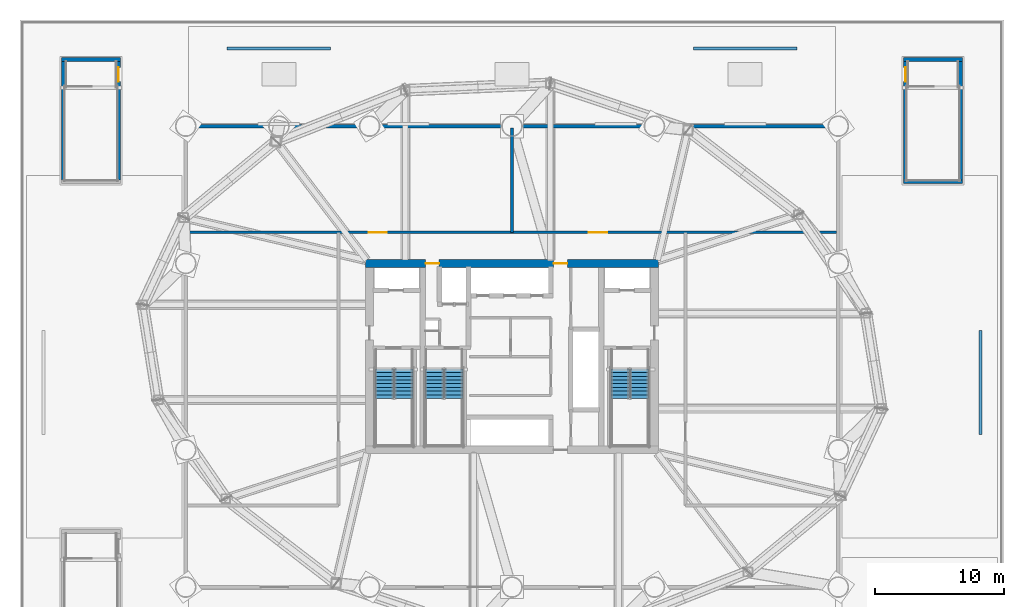
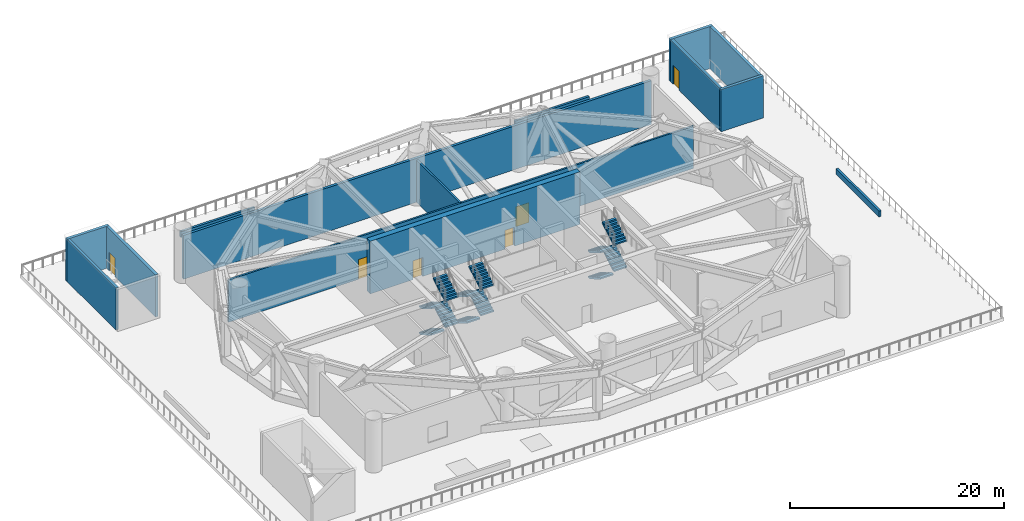
# One storey, part 9 of 14: 14 walls, 12 stair flights, 6 doors, 6 openings, 3 elements without a shape of their own.
"""IFC4 building model written with IfcOpenShell, lengths in metres."""

from ifc_helpers import new_model, si_unit, direction, frame, frame_2d, origin, place, context, subcontext, project, spatial, polyline, rectangle, outline, extrude, material, layer, layer_set, type_object, element, fill, aggregate, save


model = new_model("IFC4")

# Units and contexts
model_context = context("Model", 3, precision=1e-05, world=origin(), true_north=direction((0.0, 1.0)))
body_context = subcontext(model_context, "Body", "Model", "MODEL_VIEW")
ifc_project = project(units=[si_unit("LENGTHUNIT", "METRE"), si_unit("AREAUNIT", "SQUARE_METRE"), si_unit("VOLUMEUNIT", "CUBIC_METRE"), si_unit("PLANEANGLEUNIT", "RADIAN"), si_unit("MASSUNIT", "GRAM", prefix="KILO")], contexts=[model_context])

# Site, building, storey
site_placement = place(None, origin())
site = spatial("IfcSite", under=ifc_project, at=site_placement, CompositionType="ELEMENT")
building_placement = place(site_placement, origin())
building = spatial("IfcBuilding", under=site, at=building_placement, Name="Bramvorn Convention Spire", CompositionType="ELEMENT")
storey_placement = place(building_placement, frame((0.0, 0.0, 35.39990234375)))
storey = spatial("IfcBuildingStorey", under=building, at=storey_placement, Name="L06", CompositionType="ELEMENT", Elevation=35.39990234375)

# Wall, openings, doors
ifc_material_1 = material(Name="Concrete C60/70", Category="concrete")
ifc_layer_1 = layer(ifc_material_1, 0.60009765625)
ifc_layer_set_1 = layer_set([ifc_layer_1], Name="Concrete C60/70 - WL-CORE-600")
wall_type_1 = type_object("IfcWallType", Name="WL-CORE-600", PredefinedType="SHEAR", material=ifc_layer_set_1)
wall_1_placement = place(storey_placement, frame((26.699951171875, 33.199951171875, 0.0), z_axis=(0.0, 0.0, 1.0), x_axis=(1.0, 0.0, 0.0)))
wall_1 = element("IfcWall", 1, at=wall_1_placement, inside=storey, type_object=wall_type_1, Name="L06 North RC core shear wall", PredefinedType="SHEAR", context=body_context, shape_type="SweptSolid", body=[
    extrude(rectangle(XDim=22.60009765625, YDim=0.60009765625, at=frame_2d((11.300048828125, 0.0))), origin(), (0.0, 0.0, 1.0), 6.0),
])
opening_1_placement = place(wall_1_placement, frame((4.6201171875, 0.0, 0.0)))
opening_1 = element("IfcOpeningElement", 2, at=opening_1_placement, cuts=wall_1, Name="Opening DL-105", PredefinedType="OPENING", context=body_context, shape_type="SweptSolid", body=[
    extrude(rectangle(XDim=1.050048828125, YDim=2.14990234375, at=frame_2d((0.52490234375, 1.074951171875))), frame((0.0, 0.31005859375, 0.0), z_axis=(0.0, -1.0, 0.0), x_axis=(1.0, 0.0, 0.0)), (0.0, 0.0, 1.0), 0.6201171875),
])
opening_2_placement = place(wall_1_placement, frame((14.52001953125, 0.0, 0.0)))
opening_2 = element("IfcOpeningElement", 3, at=opening_2_placement, cuts=wall_1, Name="Opening DL-105", PredefinedType="OPENING", context=body_context, shape_type="SweptSolid", body=[
    extrude(rectangle(XDim=1.050048828125, YDim=2.14990234375, at=frame_2d((0.52490234375, 1.074951171875))), frame((0.0, 0.31005859375, 0.0), z_axis=(0.0, -1.0, 0.0), x_axis=(1.0, 0.0, 0.0)), (0.0, 0.0, 1.0), 0.6201171875),
])
ifc_material_2 = material(Name="Smoke-Sealed Fire Lobby Timber-Core Door", Category="wood")
door_type_1 = type_object("IfcDoorType", Name="DR-LOBBY-1050", OperationType="NOTDEFINED", PredefinedType="DOOR", material=ifc_material_2)
door_1_placement = place(opening_1_placement, origin())
door_1 = element("IfcDoor", 4, at=door_1_placement, inside=storey, type_object=door_type_1, Name="L06 Service & Stair ST3 Lobby north corridor door", OperationType="SINGLE_SWING_LEFT", OverallHeight=2.14990234375, OverallWidth=1.050048828125, PredefinedType="DOOR", context=body_context, shape_type="SweptSolid", body=[
    extrude(rectangle(XDim=1.050048828125, YDim=2.14990234375, at=frame_2d((0.52490234375, 1.074951171875))), frame((0.0, 0.02490234375, 0.0), z_axis=(0.0, -1.0, 0.0), x_axis=(1.0, 0.0, 0.0)), (0.0, 0.0, 1.0), 0.050048828125),
])
fill(opening_1, door_1)
door_2_placement = place(opening_2_placement, origin())
door_2 = element("IfcDoor", 5, at=door_2_placement, inside=storey, type_object=door_type_1, Name="L06 North Lift Lobby fire door", OperationType="SINGLE_SWING_LEFT", OverallHeight=2.14990234375, OverallWidth=1.050048828125, PredefinedType="DOOR", context=body_context, shape_type="SweptSolid", body=[
    extrude(rectangle(XDim=1.050048828125, YDim=2.14990234375, at=frame_2d((0.52490234375, 1.074951171875))), frame((0.0, 0.02490234375, 0.0), z_axis=(0.0, -1.0, 0.0), x_axis=(1.0, 0.0, 0.0)), (0.0, 0.0, 1.0), 0.050048828125),
])
fill(opening_2, door_2)

# Walls
ifc_material_3 = material(Name="Precast Concrete C40/50 Insulated Terrace Wall", Category="concrete")
ifc_layer_2 = layer(ifc_material_3, 0.280029296875)
ifc_layer_set_2 = layer_set([ifc_layer_2], Name="Precast Concrete C40/50 Insulated Terrace Wall - WL-EXT-TERR-280")
wall_type_2 = type_object("IfcWallType", Name="WL-EXT-TERR-280", PredefinedType="SOLIDWALL", material=ifc_layer_set_2)
wall_2_placement = place(storey_placement, frame((12.800048828125, 43.800048828125, 0.0), z_axis=(0.0, 0.0, 1.0), x_axis=(1.0, 0.0, 0.0)))
element("IfcWall", 6, at=wall_2_placement, inside=storey, type_object=wall_type_2, Name="L06 North transfer plant wall", PredefinedType="SOLIDWALL", context=body_context, shape_type="SweptSolid", body=[
    extrude(rectangle(XDim=50.39990234375, YDim=0.280029296875, at=frame_2d((25.199951171875, 0.0))), origin(), (0.0, 0.0, 1.0), 5.0),
])
ifc_material_4 = material(Name="Precast Concrete C40/50 Parapet", Category="concrete")
ifc_layer_3 = layer(ifc_material_4, 0.239990234375)
ifc_layer_set_3 = layer_set([ifc_layer_3], Name="Precast Concrete C40/50 Parapet - WL-PARAPET-240")
wall_type_3 = type_object("IfcWallType", Name="WL-PARAPET-240", PredefinedType="PARAPET", material=ifc_layer_set_3)
for number, where, z_axis, x_axis, name in (
    (7, (16.0, 49.800048828125, 0.0), (0.0, 0.0, 1.0), (1.0, 0.0, 0.0), "L06 Raised Garden stone planter wall 3"),
    (8, (52.0, 49.800048828125, 0.0), (0.0, 0.0, 1.0), (1.0, 0.0, 0.0), "L06 Raised Garden stone planter wall 4"),
    (9, (74.199951171875, 20.0, 0.0), (0.0, 0.0, 1.0), (0.0, 1.0, 0.0), "L06 Raised Garden stone planter wall 6"),
):
    element("IfcWall", number, at=place(storey_placement, frame(where, z_axis=z_axis, x_axis=x_axis)), inside=storey, type_object=wall_type_3, Name=name, PredefinedType="PARAPET", context=body_context, shape_type="SweptSolid", body=[
        extrude(rectangle(XDim=8.0, YDim=0.239990234375, at=frame_2d((4.0, 0.0))), origin(), (0.0, 0.0, 1.0), 0.650146484375),
    ])

# Wall, openings, doors
ifc_material_5 = material(Name="Gypsum Shaftwall & Rockwool Core Partition", Category="gypsum")
ifc_layer_4 = layer(ifc_material_5, 0.199951171875)
ifc_layer_set_4 = layer_set([ifc_layer_4], Name="Gypsum Shaftwall & Rockwool Core Partition - WL-PART-200-FR")
wall_type_4 = type_object("IfcWallType", Name="WL-PART-200-FR", PredefinedType="PARTITIONING", material=ifc_layer_set_4)
wall_3_placement = place(storey_placement, frame((12.93994140625, 35.60009765625, 0.0), z_axis=(0.0, 0.0, 1.0), x_axis=(1.0, 0.0, 0.0)))
wall_3 = element("IfcWall", 10, at=wall_3_placement, inside=storey, type_object=wall_type_4, Name="L06 North plant corridor wall", PredefinedType="PARTITIONING", context=body_context, shape_type="SweptSolid", body=[
    extrude(rectangle(XDim=50.1201171875, YDim=0.199951171875, at=frame_2d((25.06005859375, 0.0))), origin(), (0.0, 0.0, 1.0), 4.81005859375),
])
opening_3_placement = place(wall_3_placement, frame((14.0, 0.0, 0.0)))
opening_3 = element("IfcOpeningElement", 11, at=opening_3_placement, cuts=wall_3, Name="Opening DP-140", PredefinedType="OPENING", context=body_context, shape_type="SweptSolid", body=[
    extrude(rectangle(XDim=1.39990234375, YDim=2.25, at=frame_2d((0.699951171875, 1.125))), frame((0.0, 0.10986328125, 0.0), z_axis=(0.0, -1.0, 0.0), x_axis=(1.0, 0.0, 0.0)), (0.0, 0.0, 1.0), 0.219970703125),
])
opening_4_placement = place(wall_3_placement, frame((31.0, 0.0, 0.0)))
opening_4 = element("IfcOpeningElement", 12, at=opening_4_placement, cuts=wall_3, Name="Opening DP-140", PredefinedType="OPENING", context=body_context, shape_type="SweptSolid", body=[
    extrude(rectangle(XDim=1.39990234375, YDim=2.25, at=frame_2d((0.699951171875, 1.125))), frame((0.0, 0.10986328125, 0.0), z_axis=(0.0, -1.0, 0.0), x_axis=(1.0, 0.0, 0.0)), (0.0, 0.0, 1.0), 0.219970703125),
])
ifc_material_6 = material(Name="Heavy-Duty Acoustic Louvre Plant Room Door", Category="steel")
door_type_2 = type_object("IfcDoorType", Name="DR-PLANT-1400", OperationType="NOTDEFINED", PredefinedType="DOOR", material=ifc_material_6)
door_3_placement = place(opening_3_placement, origin())
door_3 = element("IfcDoor", 13, at=door_3_placement, inside=storey, type_object=door_type_2, Name="L06 Heat Recovery Plant door", OperationType="DOUBLE_DOOR_SINGLE_SWING", OverallHeight=2.25, OverallWidth=1.39990234375, PredefinedType="DOOR", context=body_context, shape_type="SweptSolid", body=[
    extrude(rectangle(XDim=1.39990234375, YDim=2.25, at=frame_2d((0.699951171875, 1.125))), frame((0.0, 0.02490234375, 0.0), z_axis=(0.0, -1.0, 0.0), x_axis=(1.0, 0.0, 0.0)), (0.0, 0.0, 1.0), 0.050048828125),
])
fill(opening_3, door_3)
door_4_placement = place(opening_4_placement, origin())
door_4 = element("IfcDoor", 14, at=door_4_placement, inside=storey, type_object=door_type_2, Name="L06 Transfer Electrical Substation door", OperationType="DOUBLE_DOOR_SINGLE_SWING", OverallHeight=2.25, OverallWidth=1.39990234375, PredefinedType="DOOR", context=body_context, shape_type="SweptSolid", body=[
    extrude(rectangle(XDim=1.39990234375, YDim=2.25, at=frame_2d((0.699951171875, 1.125))), frame((0.0, 0.02490234375, 0.0), z_axis=(0.0, -1.0, 0.0), x_axis=(1.0, 0.0, 0.0)), (0.0, 0.0, 1.0), 0.050048828125),
])
fill(opening_4, door_4)

# Walls
wall_4_placement = place(storey_placement, frame((38.0, 35.60009765625, 0.0), z_axis=(0.0, 0.0, 1.0), x_axis=(0.0, 1.0, 0.0)))
element("IfcWall", 15, at=wall_4_placement, inside=storey, type_object=wall_type_4, Name="L06 North plant divider", PredefinedType="PARTITIONING", context=body_context, shape_type="SweptSolid", body=[
    extrude(rectangle(XDim=8.059814453125, YDim=0.199951171875, at=frame_2d((4.02978515625, 0.0))), origin(), (0.0, 0.0, 1.0), 4.81005859375),
])
ifc_material_7 = material(Name="Concrete C50/60", Category="concrete")
ifc_layer_5 = layer(ifc_material_7, 0.300048828125)
ifc_layer_set_5 = layer_set([ifc_layer_5], Name="Concrete C50/60 - WL-POD-STAIR-300")
wall_type_5 = type_object("IfcWallType", Name="WL-POD-STAIR-300", PredefinedType="SHEAR", material=ifc_layer_set_5)
for number, where, z_axis, x_axis, name in (
    (16, (68.22998046875, 39.510009765625, 0.0), (0.0, 0.0, 1.0), (1.0, 0.0, 0.0), "L06 ST5 south shaft wall"),
    (17, (68.22998046875, 48.93994140625, 0.0), (0.0, 0.0, 1.0), (1.0, 0.0, 0.0), "L06 ST5 north shaft wall"),
):
    element("IfcWall", number, at=place(storey_placement, frame(where, z_axis=z_axis, x_axis=x_axis)), inside=storey, type_object=wall_type_5, Name=name, PredefinedType="SHEAR", context=body_context, shape_type="SweptSolid", body=[
        extrude(rectangle(XDim=4.56005859375, YDim=0.300048828125, at=frame_2d((2.280029296875, 0.0))), origin(), (0.0, 0.0, 1.0), 4.800048828125),
    ])

# Wall, opening, door
wall_5_placement = place(storey_placement, frame((68.3798828125, 39.659912109375, 0.0), z_axis=(0.0, 0.0, 1.0), x_axis=(0.0, 1.0, 0.0)))
wall_5 = element("IfcWall", 18, at=wall_5_placement, inside=storey, type_object=wall_type_5, Name="L06 ST5 west shaft wall", PredefinedType="SHEAR", context=body_context, shape_type="SweptSolid", body=[
    extrude(rectangle(XDim=9.130126953125, YDim=0.300048828125, at=frame_2d((4.56494140625, 0.0))), origin(), (0.0, 0.0, 1.0), 4.800048828125),
])
opening_5_placement = place(wall_5_placement, frame((7.580078125, 0.0, 0.0)))
opening_5 = element("IfcOpeningElement", 19, at=opening_5_placement, cuts=wall_5, Name="Opening DS-110", PredefinedType="OPENING", context=body_context, shape_type="SweptSolid", body=[
    extrude(rectangle(XDim=1.10009765625, YDim=2.14990234375, at=frame_2d((0.550048828125, 1.074951171875))), frame((0.0, 0.159912109375, 0.0), z_axis=(0.0, -1.0, 0.0), x_axis=(1.0, 0.0, 0.0)), (0.0, 0.0, 1.0), 0.320068359375),
])
ifc_material_8 = material(Name="Fire-Rated Hollow Steel Stairwell Door", Category="steel")
door_type_3 = type_object("IfcDoorType", Name="DR-STAIR-1100", OperationType="NOTDEFINED", PredefinedType="DOOR", material=ifc_material_8)
door_5_placement = place(opening_5_placement, origin())
door_5 = element("IfcDoor", 20, at=door_5_placement, inside=storey, type_object=door_type_3, Name="L06 ST5 exit stairwell door", OperationType="SINGLE_SWING_LEFT", OverallHeight=2.14990234375, OverallWidth=1.10009765625, PredefinedType="DOOR", context=body_context, shape_type="SweptSolid", body=[
    extrude(rectangle(XDim=1.10009765625, YDim=2.14990234375, at=frame_2d((0.550048828125, 1.074951171875))), frame((0.0, 0.02490234375, 0.0), z_axis=(0.0, -1.0, 0.0), x_axis=(1.0, 0.0, 0.0)), (0.0, 0.0, 1.0), 0.050048828125),
])
fill(opening_5, door_5)

# Walls
wall_6_placement = place(storey_placement, frame((72.639892578125, 48.7900390625, 0.0), z_axis=(0.0, 0.0, 1.0), x_axis=(0.0, -1.0, 0.0)))
element("IfcWall", 21, at=wall_6_placement, inside=storey, type_object=wall_type_5, Name="L06 ST5 east shaft wall", PredefinedType="SHEAR", context=body_context, shape_type="SweptSolid", body=[
    extrude(rectangle(XDim=9.130126953125, YDim=0.300048828125, at=frame_2d((4.56494140625, 0.0))), origin(), (0.0, 0.0, 1.0), 4.800048828125),
])
wall_7_placement = place(storey_placement, frame((3.2099609375, 48.93994140625, 0.0), z_axis=(0.0, 0.0, 1.0), x_axis=(1.0, 0.0, 0.0)))
element("IfcWall", 22, at=wall_7_placement, inside=storey, type_object=wall_type_5, Name="L06 ST6 north shaft wall", PredefinedType="SHEAR", context=body_context, shape_type="SweptSolid", body=[
    extrude(rectangle(XDim=4.56005859375, YDim=0.300048828125, at=frame_2d((2.280029296875, 0.0))), origin(), (0.0, 0.0, 1.0), 4.800048828125),
])
wall_8_placement = place(storey_placement, frame((3.360107421875, 39.659912109375, 0.0), z_axis=(0.0, 0.0, 1.0), x_axis=(0.0, 1.0, 0.0)))
element("IfcWall", 23, at=wall_8_placement, inside=storey, type_object=wall_type_5, Name="L06 ST6 west shaft wall", PredefinedType="SHEAR", context=body_context, shape_type="SweptSolid", body=[
    extrude(rectangle(XDim=9.130126953125, YDim=0.300048828125, at=frame_2d((4.56494140625, 0.0))), origin(), (0.0, 0.0, 1.0), 4.800048828125),
])

# Wall, opening, door
wall_9_placement = place(storey_placement, frame((7.6201171875, 48.7900390625, 0.0), z_axis=(0.0, 0.0, 1.0), x_axis=(0.0, -1.0, 0.0)))
wall_9 = element("IfcWall", 24, at=wall_9_placement, inside=storey, type_object=wall_type_5, Name="L06 ST6 east shaft wall", PredefinedType="SHEAR", context=body_context, shape_type="SweptSolid", body=[
    extrude(rectangle(XDim=9.130126953125, YDim=0.300048828125, at=frame_2d((4.56494140625, 0.0))), origin(), (0.0, 0.0, 1.0), 4.800048828125),
])
opening_6_placement = place(wall_9_placement, frame((0.449951171875, 0.0, 0.0)))
opening_6 = element("IfcOpeningElement", 25, at=opening_6_placement, cuts=wall_9, Name="Opening DS-110", PredefinedType="OPENING", context=body_context, shape_type="SweptSolid", body=[
    extrude(rectangle(XDim=1.10009765625, YDim=2.14990234375, at=frame_2d((0.550048828125, 1.074951171875))), frame((0.0, 0.159912109375, 0.0), z_axis=(0.0, -1.0, 0.0), x_axis=(1.0, 0.0, 0.0)), (0.0, 0.0, 1.0), 0.320068359375),
])
door_6_placement = place(opening_6_placement, origin())
door_6 = element("IfcDoor", 26, at=door_6_placement, inside=storey, type_object=door_type_3, Name="L06 ST6 exit stairwell door", OperationType="SINGLE_SWING_LEFT", OverallHeight=2.14990234375, OverallWidth=1.10009765625, PredefinedType="DOOR", context=body_context, shape_type="SweptSolid", body=[
    extrude(rectangle(XDim=1.10009765625, YDim=2.14990234375, at=frame_2d((0.550048828125, 1.074951171875))), frame((0.0, 0.02490234375, 0.0), z_axis=(0.0, -1.0, 0.0), x_axis=(1.0, 0.0, 0.0)), (0.0, 0.0, 1.0), 0.050048828125),
])
fill(opening_6, door_6)

# Stair, stair flights
ifc_material_9 = material(Name="Concrete C40/50 Precast Stair", Category="concrete")
stair_type = type_object("IfcStairType", Name="ST-TOWER-1550", PredefinedType="HALF_TURN_STAIR", material=ifc_material_9)
stair_1_placement = place(storey_placement, origin())
stair_1 = element("IfcStair", 27, at=stair_1_placement, inside=storey, type_object=stair_type, Name="L06 Protected Exit Stair ST1", PredefinedType="HALF_TURN_STAIR")
ifc_material_10 = material(Name="Concrete C40/50 Precast Stair Flight", Category="concrete")
stair_flight_type = type_object("IfcStairFlightType", Name="STF-TOWER-1550", PredefinedType="STRAIGHT", material=ifc_material_10)
stair_flight_1_placement = place(storey_placement, frame((28.155029296875, 25.050048828125, 0.0), z_axis=(0.0, 0.0, 1.0), x_axis=(0.0, -1.0, 0.0)))
stair_flight_1 = element("IfcStairFlight", 28, at=stair_flight_1_placement, type_object=stair_flight_type, Name="ST1 flight 1", NumberOfRisers=9, NumberOfTreads=8, PredefinedType="STRAIGHT", RiserHeight=0.166666667, TreadLength=0.285, context=body_context, shape_type="SweptSolid", body=[
    extrude(outline(polyline([(0.0, 0.0), (0.0, 0.166748046875), (0.284912109375, 0.166748046875), (0.284912109375, 0.333251953125), (0.570068359375, 0.333251953125), (0.570068359375, 0.5), (0.85498046875, 0.5), (0.85498046875, 0.666748046875), (1.139892578125, 0.666748046875), (1.139892578125, 0.833251953125), (1.425048828125, 0.833251953125), (1.425048828125, 1.0), (1.7099609375, 1.0), (1.7099609375, 1.166748046875), (1.9951171875, 1.166748046875), (1.9951171875, 1.333251953125), (2.280029296875, 1.333251953125), (2.280029296875, 1.5), (2.280029296875, 1.15966796875), (0.296875, 0.0), (0.0, 0.0)])), frame((0.0, 0.705078125, 0.0), z_axis=(0.0, -1.0, 0.0), x_axis=(1.0, 0.0, 0.0)), (0.0, 0.0, 1.0), 1.409912109375),
])
stair_flight_2_placement = place(storey_placement, frame((29.64501953125, 22.77001953125, 1.5), z_axis=(0.0, 0.0, 1.0), x_axis=(0.0, 1.0, 0.0)))
stair_flight_2 = element("IfcStairFlight", 29, at=stair_flight_2_placement, type_object=stair_flight_type, Name="ST1 flight 2", NumberOfRisers=9, NumberOfTreads=8, PredefinedType="STRAIGHT", RiserHeight=0.166666667, TreadLength=0.285, context=body_context, shape_type="SweptSolid", body=[
    extrude(outline(polyline([(0.0, 0.0), (0.0, 0.166748046875), (0.284912109375, 0.166748046875), (0.284912109375, 0.333251953125), (0.570068359375, 0.333251953125), (0.570068359375, 0.5), (0.85498046875, 0.5), (0.85498046875, 0.666748046875), (1.139892578125, 0.666748046875), (1.139892578125, 0.833251953125), (1.425048828125, 0.833251953125), (1.425048828125, 1.0), (1.7099609375, 1.0), (1.7099609375, 1.166748046875), (1.9951171875, 1.166748046875), (1.9951171875, 1.333251953125), (2.280029296875, 1.333251953125), (2.280029296875, 1.5), (2.280029296875, 1.15966796875), (0.296875, 0.0), (0.0, 0.0)])), frame((0.0, 0.705078125, 0.0), z_axis=(0.0, -1.0, 0.0), x_axis=(1.0, 0.0, 0.0)), (0.0, 0.0, 1.0), 1.409912109375),
])
stair_flight_3_placement = place(storey_placement, frame((28.155029296875, 25.050048828125, 3.0), z_axis=(0.0, 0.0, 1.0), x_axis=(0.0, -1.0, 0.0)))
stair_flight_3 = element("IfcStairFlight", 30, at=stair_flight_3_placement, type_object=stair_flight_type, Name="ST1 flight 3", NumberOfRisers=9, NumberOfTreads=8, PredefinedType="STRAIGHT", RiserHeight=0.166666667, TreadLength=0.285, context=body_context, shape_type="SweptSolid", body=[
    extrude(outline(polyline([(0.0, 0.0), (0.0, 0.166748046875), (0.284912109375, 0.166748046875), (0.284912109375, 0.333251953125), (0.570068359375, 0.333251953125), (0.570068359375, 0.5), (0.85498046875, 0.5), (0.85498046875, 0.666748046875), (1.139892578125, 0.666748046875), (1.139892578125, 0.833251953125), (1.425048828125, 0.833251953125), (1.425048828125, 1.0), (1.7099609375, 1.0), (1.7099609375, 1.166748046875), (1.9951171875, 1.166748046875), (1.9951171875, 1.333251953125), (2.280029296875, 1.333251953125), (2.280029296875, 1.5), (2.280029296875, 1.15966796875), (0.296875, 0.0), (0.0, 0.0)])), frame((0.0, 0.705078125, 0.0), z_axis=(0.0, -1.0, 0.0), x_axis=(1.0, 0.0, 0.0)), (0.0, 0.0, 1.0), 1.409912109375),
])
stair_flight_4_placement = place(storey_placement, frame((29.64501953125, 22.77001953125, 4.5), z_axis=(0.0, 0.0, 1.0), x_axis=(0.0, 1.0, 0.0)))
stair_flight_4 = element("IfcStairFlight", 31, at=stair_flight_4_placement, type_object=stair_flight_type, Name="ST1 flight 4", NumberOfRisers=9, NumberOfTreads=8, PredefinedType="STRAIGHT", RiserHeight=0.166666667, TreadLength=0.285, context=body_context, shape_type="SweptSolid", body=[
    extrude(outline(polyline([(0.0, 0.0), (0.0, 0.166748046875), (0.284912109375, 0.166748046875), (0.284912109375, 0.333251953125), (0.570068359375, 0.333251953125), (0.570068359375, 0.5), (0.85498046875, 0.5), (0.85498046875, 0.666748046875), (1.139892578125, 0.666748046875), (1.139892578125, 0.833251953125), (1.425048828125, 0.833251953125), (1.425048828125, 1.0), (1.7099609375, 1.0), (1.7099609375, 1.166748046875), (1.9951171875, 1.166748046875), (1.9951171875, 1.333251953125), (2.280029296875, 1.333251953125), (2.280029296875, 1.5), (2.280029296875, 1.15966796875), (0.296875, 0.0), (0.0, 0.0)])), frame((0.0, 0.705078125, 0.0), z_axis=(0.0, -1.0, 0.0), x_axis=(1.0, 0.0, 0.0)), (0.0, 0.0, 1.0), 1.409912109375),
])
aggregate(stair_1, [stair_flight_1, stair_flight_2, stair_flight_3, stair_flight_4])

stair_2_placement = place(storey_placement, origin())
stair_2 = element("IfcStair", 32, at=stair_2_placement, inside=storey, type_object=stair_type, Name="L06 Protected Exit Stair ST2", PredefinedType="HALF_TURN_STAIR")
stair_flight_5_placement = place(storey_placement, frame((46.35498046875, 25.050048828125, 0.0), z_axis=(0.0, 0.0, 1.0), x_axis=(0.0, -1.0, 0.0)))
stair_flight_5 = element("IfcStairFlight", 33, at=stair_flight_5_placement, type_object=stair_flight_type, Name="ST2 flight 1", NumberOfRisers=9, NumberOfTreads=8, PredefinedType="STRAIGHT", RiserHeight=0.166666667, TreadLength=0.285, context=body_context, shape_type="SweptSolid", body=[
    extrude(outline(polyline([(0.0, 0.0), (0.0, 0.166748046875), (0.284912109375, 0.166748046875), (0.284912109375, 0.333251953125), (0.570068359375, 0.333251953125), (0.570068359375, 0.5), (0.85498046875, 0.5), (0.85498046875, 0.666748046875), (1.139892578125, 0.666748046875), (1.139892578125, 0.833251953125), (1.425048828125, 0.833251953125), (1.425048828125, 1.0), (1.7099609375, 1.0), (1.7099609375, 1.166748046875), (1.9951171875, 1.166748046875), (1.9951171875, 1.333251953125), (2.280029296875, 1.333251953125), (2.280029296875, 1.5), (2.280029296875, 1.15966796875), (0.296875, 0.0), (0.0, 0.0)])), frame((0.0, 0.705078125, 0.0), z_axis=(0.0, -1.0, 0.0), x_axis=(1.0, 0.0, 0.0)), (0.0, 0.0, 1.0), 1.409912109375),
])
stair_flight_6_placement = place(storey_placement, frame((47.844970703125, 22.77001953125, 1.5), z_axis=(0.0, 0.0, 1.0), x_axis=(0.0, 1.0, 0.0)))
stair_flight_6 = element("IfcStairFlight", 34, at=stair_flight_6_placement, type_object=stair_flight_type, Name="ST2 flight 2", NumberOfRisers=9, NumberOfTreads=8, PredefinedType="STRAIGHT", RiserHeight=0.166666667, TreadLength=0.285, context=body_context, shape_type="SweptSolid", body=[
    extrude(outline(polyline([(0.0, 0.0), (0.0, 0.166748046875), (0.284912109375, 0.166748046875), (0.284912109375, 0.333251953125), (0.570068359375, 0.333251953125), (0.570068359375, 0.5), (0.85498046875, 0.5), (0.85498046875, 0.666748046875), (1.139892578125, 0.666748046875), (1.139892578125, 0.833251953125), (1.425048828125, 0.833251953125), (1.425048828125, 1.0), (1.7099609375, 1.0), (1.7099609375, 1.166748046875), (1.9951171875, 1.166748046875), (1.9951171875, 1.333251953125), (2.280029296875, 1.333251953125), (2.280029296875, 1.5), (2.280029296875, 1.15966796875), (0.296875, 0.0), (0.0, 0.0)])), frame((0.0, 0.705078125, 0.0), z_axis=(0.0, -1.0, 0.0), x_axis=(1.0, 0.0, 0.0)), (0.0, 0.0, 1.0), 1.409912109375),
])
stair_flight_7_placement = place(storey_placement, frame((46.35498046875, 25.050048828125, 3.0), z_axis=(0.0, 0.0, 1.0), x_axis=(0.0, -1.0, 0.0)))
stair_flight_7 = element("IfcStairFlight", 35, at=stair_flight_7_placement, type_object=stair_flight_type, Name="ST2 flight 3", NumberOfRisers=9, NumberOfTreads=8, PredefinedType="STRAIGHT", RiserHeight=0.166666667, TreadLength=0.285, context=body_context, shape_type="SweptSolid", body=[
    extrude(outline(polyline([(0.0, 0.0), (0.0, 0.166748046875), (0.284912109375, 0.166748046875), (0.284912109375, 0.333251953125), (0.570068359375, 0.333251953125), (0.570068359375, 0.5), (0.85498046875, 0.5), (0.85498046875, 0.666748046875), (1.139892578125, 0.666748046875), (1.139892578125, 0.833251953125), (1.425048828125, 0.833251953125), (1.425048828125, 1.0), (1.7099609375, 1.0), (1.7099609375, 1.166748046875), (1.9951171875, 1.166748046875), (1.9951171875, 1.333251953125), (2.280029296875, 1.333251953125), (2.280029296875, 1.5), (2.280029296875, 1.15966796875), (0.296875, 0.0), (0.0, 0.0)])), frame((0.0, 0.705078125, 0.0), z_axis=(0.0, -1.0, 0.0), x_axis=(1.0, 0.0, 0.0)), (0.0, 0.0, 1.0), 1.409912109375),
])
stair_flight_8_placement = place(storey_placement, frame((47.844970703125, 22.77001953125, 4.5), z_axis=(0.0, 0.0, 1.0), x_axis=(0.0, 1.0, 0.0)))
stair_flight_8 = element("IfcStairFlight", 36, at=stair_flight_8_placement, type_object=stair_flight_type, Name="ST2 flight 4", NumberOfRisers=9, NumberOfTreads=8, PredefinedType="STRAIGHT", RiserHeight=0.166666667, TreadLength=0.285, context=body_context, shape_type="SweptSolid", body=[
    extrude(outline(polyline([(0.0, 0.0), (0.0, 0.166748046875), (0.284912109375, 0.166748046875), (0.284912109375, 0.333251953125), (0.570068359375, 0.333251953125), (0.570068359375, 0.5), (0.85498046875, 0.5), (0.85498046875, 0.666748046875), (1.139892578125, 0.666748046875), (1.139892578125, 0.833251953125), (1.425048828125, 0.833251953125), (1.425048828125, 1.0), (1.7099609375, 1.0), (1.7099609375, 1.166748046875), (1.9951171875, 1.166748046875), (1.9951171875, 1.333251953125), (2.280029296875, 1.333251953125), (2.280029296875, 1.5), (2.280029296875, 1.15966796875), (0.296875, 0.0), (0.0, 0.0)])), frame((0.0, 0.705078125, 0.0), z_axis=(0.0, -1.0, 0.0), x_axis=(1.0, 0.0, 0.0)), (0.0, 0.0, 1.0), 1.409912109375),
])
aggregate(stair_2, [stair_flight_5, stair_flight_6, stair_flight_7, stair_flight_8])

stair_3_placement = place(storey_placement, origin())
stair_3 = element("IfcStair", 37, at=stair_3_placement, inside=storey, type_object=stair_type, Name="L06 Protected Exit Stair ST3", PredefinedType="HALF_TURN_STAIR")
stair_flight_9_placement = place(storey_placement, frame((32.0048828125, 25.050048828125, 0.0), z_axis=(0.0, 0.0, 1.0), x_axis=(0.0, -1.0, 0.0)))
stair_flight_9 = element("IfcStairFlight", 38, at=stair_flight_9_placement, type_object=stair_flight_type, Name="ST3 flight 1", NumberOfRisers=9, NumberOfTreads=8, PredefinedType="STRAIGHT", RiserHeight=0.166666667, TreadLength=0.285, context=body_context, shape_type="SweptSolid", body=[
    extrude(outline(polyline([(0.0, 0.0), (0.0, 0.166748046875), (0.284912109375, 0.166748046875), (0.284912109375, 0.333251953125), (0.570068359375, 0.333251953125), (0.570068359375, 0.5), (0.85498046875, 0.5), (0.85498046875, 0.666748046875), (1.139892578125, 0.666748046875), (1.139892578125, 0.833251953125), (1.425048828125, 0.833251953125), (1.425048828125, 1.0), (1.7099609375, 1.0), (1.7099609375, 1.166748046875), (1.9951171875, 1.166748046875), (1.9951171875, 1.333251953125), (2.280029296875, 1.333251953125), (2.280029296875, 1.5), (2.280029296875, 1.15966796875), (0.296875, 0.0), (0.0, 0.0)])), frame((0.0, 0.705078125, 0.0), z_axis=(0.0, -1.0, 0.0), x_axis=(1.0, 0.0, 0.0)), (0.0, 0.0, 1.0), 1.409912109375),
])
stair_flight_10_placement = place(storey_placement, frame((33.4951171875, 22.77001953125, 1.5), z_axis=(0.0, 0.0, 1.0), x_axis=(0.0, 1.0, 0.0)))
stair_flight_10 = element("IfcStairFlight", 39, at=stair_flight_10_placement, type_object=stair_flight_type, Name="ST3 flight 2", NumberOfRisers=9, NumberOfTreads=8, PredefinedType="STRAIGHT", RiserHeight=0.166666667, TreadLength=0.285, context=body_context, shape_type="SweptSolid", body=[
    extrude(outline(polyline([(0.0, 0.0), (0.0, 0.166748046875), (0.284912109375, 0.166748046875), (0.284912109375, 0.333251953125), (0.570068359375, 0.333251953125), (0.570068359375, 0.5), (0.85498046875, 0.5), (0.85498046875, 0.666748046875), (1.139892578125, 0.666748046875), (1.139892578125, 0.833251953125), (1.425048828125, 0.833251953125), (1.425048828125, 1.0), (1.7099609375, 1.0), (1.7099609375, 1.166748046875), (1.9951171875, 1.166748046875), (1.9951171875, 1.333251953125), (2.280029296875, 1.333251953125), (2.280029296875, 1.5), (2.280029296875, 1.15966796875), (0.296875, 0.0), (0.0, 0.0)])), frame((0.0, 0.705078125, 0.0), z_axis=(0.0, -1.0, 0.0), x_axis=(1.0, 0.0, 0.0)), (0.0, 0.0, 1.0), 1.409912109375),
])
stair_flight_11_placement = place(storey_placement, frame((32.0048828125, 25.050048828125, 3.0), z_axis=(0.0, 0.0, 1.0), x_axis=(0.0, -1.0, 0.0)))
stair_flight_11 = element("IfcStairFlight", 40, at=stair_flight_11_placement, type_object=stair_flight_type, Name="ST3 flight 3", NumberOfRisers=9, NumberOfTreads=8, PredefinedType="STRAIGHT", RiserHeight=0.166666667, TreadLength=0.285, context=body_context, shape_type="SweptSolid", body=[
    extrude(outline(polyline([(0.0, 0.0), (0.0, 0.166748046875), (0.284912109375, 0.166748046875), (0.284912109375, 0.333251953125), (0.570068359375, 0.333251953125), (0.570068359375, 0.5), (0.85498046875, 0.5), (0.85498046875, 0.666748046875), (1.139892578125, 0.666748046875), (1.139892578125, 0.833251953125), (1.425048828125, 0.833251953125), (1.425048828125, 1.0), (1.7099609375, 1.0), (1.7099609375, 1.166748046875), (1.9951171875, 1.166748046875), (1.9951171875, 1.333251953125), (2.280029296875, 1.333251953125), (2.280029296875, 1.5), (2.280029296875, 1.15966796875), (0.296875, 0.0), (0.0, 0.0)])), frame((0.0, 0.705078125, 0.0), z_axis=(0.0, -1.0, 0.0), x_axis=(1.0, 0.0, 0.0)), (0.0, 0.0, 1.0), 1.409912109375),
])
stair_flight_12_placement = place(storey_placement, frame((33.4951171875, 22.77001953125, 4.5), z_axis=(0.0, 0.0, 1.0), x_axis=(0.0, 1.0, 0.0)))
stair_flight_12 = element("IfcStairFlight", 41, at=stair_flight_12_placement, type_object=stair_flight_type, Name="ST3 flight 4", NumberOfRisers=9, NumberOfTreads=8, PredefinedType="STRAIGHT", RiserHeight=0.166666667, TreadLength=0.285, context=body_context, shape_type="SweptSolid", body=[
    extrude(outline(polyline([(0.0, 0.0), (0.0, 0.166748046875), (0.284912109375, 0.166748046875), (0.284912109375, 0.333251953125), (0.570068359375, 0.333251953125), (0.570068359375, 0.5), (0.85498046875, 0.5), (0.85498046875, 0.666748046875), (1.139892578125, 0.666748046875), (1.139892578125, 0.833251953125), (1.425048828125, 0.833251953125), (1.425048828125, 1.0), (1.7099609375, 1.0), (1.7099609375, 1.166748046875), (1.9951171875, 1.166748046875), (1.9951171875, 1.333251953125), (2.280029296875, 1.333251953125), (2.280029296875, 1.5), (2.280029296875, 1.15966796875), (0.296875, 0.0), (0.0, 0.0)])), frame((0.0, 0.705078125, 0.0), z_axis=(0.0, -1.0, 0.0), x_axis=(1.0, 0.0, 0.0)), (0.0, 0.0, 1.0), 1.409912109375),
])
aggregate(stair_3, [stair_flight_9, stair_flight_10, stair_flight_11, stair_flight_12])

save(model, "model.ifc")
